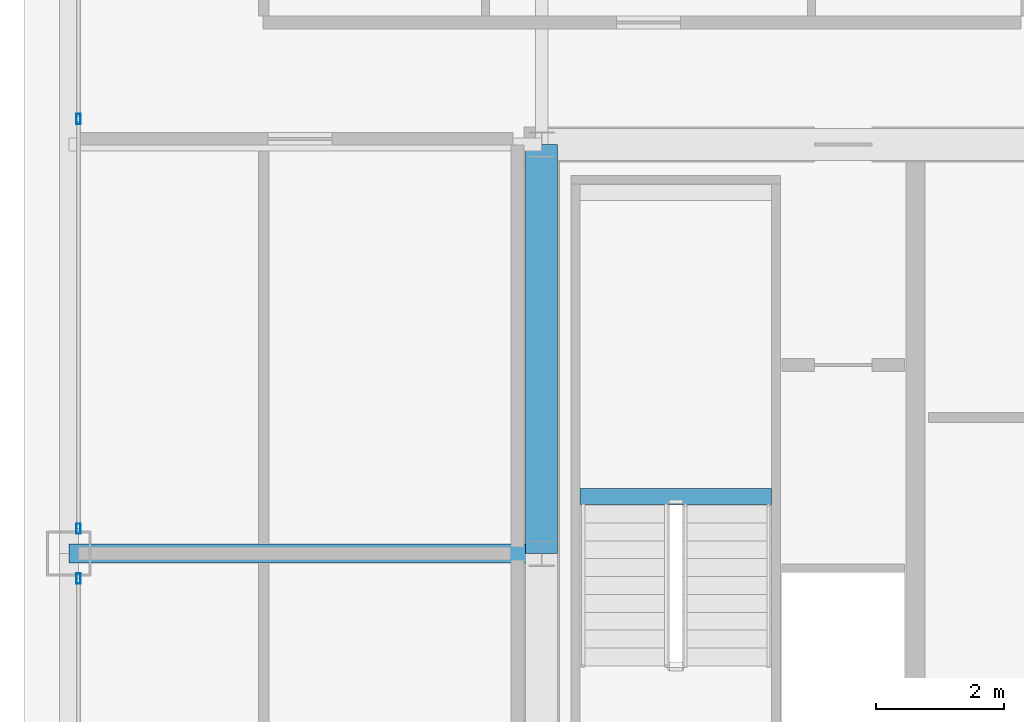
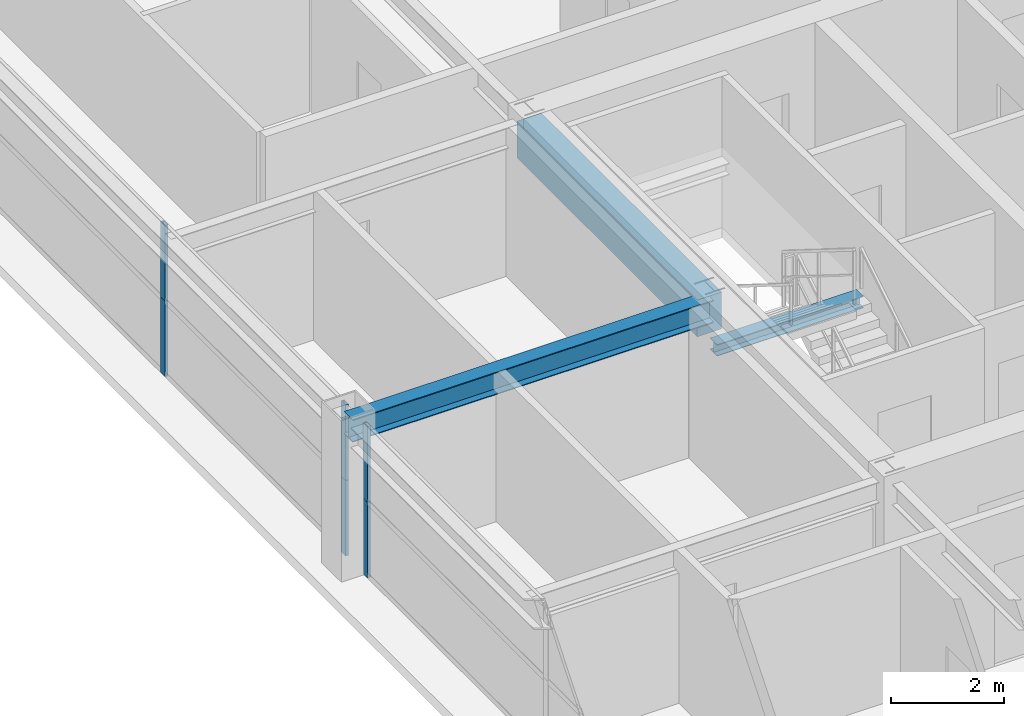
# One storey, part 11 of 34: 6 members, 3 beams, 2 elements without a shape of their own.
"""IFC4 building model written with IfcOpenShell, lengths in metres."""

from ifc_helpers import new_model, si_unit, direction, frame, origin, origin_2d, place, context, subcontext, project, spatial, rectangle, hollow_rectangle, i_section, extrude, source, transform, mapped, material, layer, layer_set, material_profile, profile_set, type_object, element, aggregate, save


model = new_model("IFC4")

# Units and contexts
model_context = context("Model", 3, precision=1e-05, world=origin(), true_north=direction((0.0, 1.0)))
body_context = subcontext(model_context, "Body", "Model", "MODEL_VIEW")
ifc_project = project(units=[si_unit("LENGTHUNIT", "METRE"), si_unit("AREAUNIT", "SQUARE_METRE"), si_unit("VOLUMEUNIT", "CUBIC_METRE"), si_unit("PLANEANGLEUNIT", "RADIAN"), si_unit("MASSUNIT", "GRAM", prefix="KILO"), si_unit("THERMODYNAMICTEMPERATUREUNIT", "KELVIN"), si_unit("POWERUNIT", "WATT")], contexts=[model_context])

# Site, building, storey
site_placement = place(None, origin())
site = spatial("IfcSite", under=ifc_project, at=site_placement, CompositionType="ELEMENT")
building_placement = place(site_placement, origin())
building = spatial("IfcBuilding", under=site, at=building_placement, Name="Yuzanri Waterfront Tower", CompositionType="ELEMENT")
storey_placement = place(building_placement, frame((0.0, 0.0, 241.60009765625)))
storey = spatial("IfcBuildingStorey", under=building, at=storey_placement, Name="L64", CompositionType="ELEMENT", Elevation=241.60009765625)

# Beams
ifc_material_1 = material(Name="Concrete C50", Category="concrete")
ifc_material_profile_1 = material_profile(ifc_material_1, rectangle(XDim=0.5, YDim=0.800048828125, at=origin_2d()), Name="RC 500x800")
ifc_profile_set_1 = profile_set([ifc_material_profile_1], Name="Concrete C50")
beam_type_1 = type_object("IfcBeamType", Name="Core Coupling Lintel Concrete C50 500x800", PredefinedType="LINTEL", material=ifc_profile_set_1)
shared_shape_1 = source(origin(), body_context, "Body", "SweptSolid", [
    extrude(rectangle(XDim=0.5, YDim=0.800048828125, at=origin_2d()), origin(), (0.0, 0.0, 1.0), 6.39990234375),
])
beam_1_placement = place(storey_placement, frame((23.800048828125, 25.800048828125, 2.8798828125), z_axis=(0.0, 1.0, 0.0), x_axis=(-1.0, 0.0, 0.0)))
element("IfcBeam", 1, at=beam_1_placement, inside=storey, type_object=beam_type_1, Name="L64 Core Tie Beam CW2", PredefinedType="LINTEL", context=body_context, shape_type="MappedRepresentation", body=[
    mapped(shared_shape_1, transform((0.0, 0.0, 0.0), scale=1.0)),
])
ifc_material_2 = material(Name="Steel Q355B", Category="steel")
ifc_material_profile_2 = material_profile(ifc_material_2, i_section(OverallWidth=0.300048828125, OverallDepth=0.488037109375, WebThickness=0.010986328125, FlangeThickness=0.01806640625, at=origin_2d()), Name="HM 488x300x11x18")
ifc_profile_set_2 = profile_set([ifc_material_profile_2], Name="Steel Q355B")
beam_type_2 = type_object("IfcBeamType", Name="Primary Floor Girder Q355B HM 488x300", PredefinedType="BEAM", material=ifc_profile_set_2)
shared_shape_2 = source(origin(), body_context, "Body", "SweptSolid", [
    extrude(i_section(OverallWidth=0.300048828125, OverallDepth=0.488037109375, WebThickness=0.010986328125, FlangeThickness=0.01806640625, at=origin_2d()), origin(), (0.0, 0.0, 1.0), 7.400146484375),
])
beam_2_placement = place(storey_placement, frame((23.800048828125, 25.800048828125, 3.035888671875), z_axis=(-1.0, 0.0, 0.0), x_axis=(0.0, -1.0, 0.0)))
element("IfcBeam", 2, at=beam_2_placement, inside=storey, type_object=beam_type_2, Name="L64 West Grid Girder", PredefinedType="BEAM", context=body_context, shape_type="MappedRepresentation", body=[
    mapped(shared_shape_2, transform((0.0, 0.0, 0.0), scale=1.0)),
])

# Curtain wall, members
ifc_material_3 = material(Name="Anodized Architectural Bronze", Category="metal")
ifc_layer = layer(ifc_material_3, 0.159912109375)
ifc_layer_set = layer_set([ifc_layer], Name="Anodized Architectural Bronze")
curtain_wall_type = type_object("IfcCurtainWallType", Name="Anodized Bronze Mid-Rise Residential Acoustic Unitized Curtain Wall 7200", PredefinedType="NOTDEFINED", material=ifc_layer_set)
curtain_wall_1_placement = place(storey_placement, origin())
curtain_wall_1 = element("IfcCurtainWall", 3, at=curtain_wall_1_placement, inside=storey, type_object=curtain_wall_type, Name="L64 Curtain Wall CW-L64-WL", PredefinedType="NOTDEFINED")
ifc_material_4 = material(Name="Anodized Architectural Bronze", Category="metal")
ifc_material_profile_3 = material_profile(ifc_material_4, hollow_rectangle(XDim=0.06494140625, YDim=0.159912109375, WallThickness=0.00341796875, at=origin_2d()), Name="CWM 65x160")
ifc_profile_set_3 = profile_set([ifc_material_profile_3], Name="Anodized Architectural Bronze")
member_type = type_object("IfcMemberType", Name="Anodized Bronze Upper-Zone Curtain-Wall Mullion 65x160", PredefinedType="MULLION", material=ifc_profile_set_3)
shared_shape_3 = source(origin(), body_context, "Body", "SweptSolid", [
    extrude(hollow_rectangle(XDim=0.06494140625, YDim=0.159912109375, WallThickness=0.00341796875, at=origin_2d()), origin(), (0.0, 0.0, 1.0), 1.637939453125),
])
member_1_placement = place(storey_placement, frame((16.550048828125, 25.409912109375, 0.0), z_axis=(0.0, 0.0, 1.0), x_axis=(1.0, 0.0, 0.0)))
member_1 = element("IfcMember", 4, at=member_1_placement, type_object=member_type, Name="CW-L64-WL Lower Mullion 02", PredefinedType="MULLION", context=body_context, shape_type="MappedRepresentation", body=[
    mapped(shared_shape_3, transform((0.0, 0.0, 0.0), scale=1.0)),
])
member_2_placement = place(storey_placement, frame((16.550048828125, 25.409912109375, 1.641845703125), z_axis=(0.0, 0.0, 1.0), x_axis=(1.0, 0.0, 0.0)))
member_2 = element("IfcMember", 5, at=member_2_placement, type_object=member_type, Name="CW-L64-WL Upper Mullion 02", PredefinedType="MULLION", context=body_context, shape_type="MappedRepresentation", body=[
    mapped(shared_shape_3, transform((0.0, 0.0, 0.0), scale=1.0)),
])
aggregate(curtain_wall_1, [member_1, member_2])

curtain_wall_2_placement = place(storey_placement, origin())
curtain_wall_2 = element("IfcCurtainWall", 6, at=curtain_wall_2_placement, inside=storey, type_object=curtain_wall_type, Name="L64 Curtain Wall CW-L64-WR", PredefinedType="NOTDEFINED")
member_3_placement = place(storey_placement, frame((16.550048828125, 26.18994140625, 0.0), z_axis=(0.0, 0.0, 1.0), x_axis=(1.0, 0.0, 0.0)))
member_3 = element("IfcMember", 7, at=member_3_placement, type_object=member_type, Name="CW-L64-WR Lower Mullion 00", PredefinedType="MULLION", context=body_context, shape_type="MappedRepresentation", body=[
    mapped(shared_shape_3, transform((0.0, 0.0, 0.0), scale=1.0)),
])
member_4_placement = place(storey_placement, frame((16.550048828125, 26.18994140625, 1.641845703125), z_axis=(0.0, 0.0, 1.0), x_axis=(1.0, 0.0, 0.0)))
member_4 = element("IfcMember", 8, at=member_4_placement, type_object=member_type, Name="CW-L64-WR Upper Mullion 00", PredefinedType="MULLION", context=body_context, shape_type="MappedRepresentation", body=[
    mapped(shared_shape_3, transform((0.0, 0.0, 0.0), scale=1.0)),
])
member_5_placement = place(storey_placement, frame((16.550048828125, 32.60009765625, 0.0), z_axis=(0.0, 0.0, 1.0), x_axis=(1.0, 0.0, 0.0)))
member_5 = element("IfcMember", 9, at=member_5_placement, type_object=member_type, Name="CW-L64-WR Lower Mullion 01", PredefinedType="MULLION", context=body_context, shape_type="MappedRepresentation", body=[
    mapped(shared_shape_3, transform((0.0, 0.0, 0.0), scale=1.0)),
])
member_6_placement = place(storey_placement, frame((16.550048828125, 32.60009765625, 1.641845703125), z_axis=(0.0, 0.0, 1.0), x_axis=(1.0, 0.0, 0.0)))
member_6 = element("IfcMember", 10, at=member_6_placement, type_object=member_type, Name="CW-L64-WR Upper Mullion 01", PredefinedType="MULLION", context=body_context, shape_type="MappedRepresentation", body=[
    mapped(shared_shape_3, transform((0.0, 0.0, 0.0), scale=1.0)),
])
aggregate(curtain_wall_2, [member_3, member_4, member_5, member_6])

# Beam
ifc_material_5 = material(Name="Steel Q355B", Category="steel")
ifc_material_profile_4 = material_profile(ifc_material_5, i_section(OverallWidth=0.25, OverallDepth=0.25, WebThickness=0.009033203125, FlangeThickness=0.013916015625, at=origin_2d()), Name="HW 250x250x9x14")
ifc_profile_set_4 = profile_set([ifc_material_profile_4], Name="Steel Q355B")
beam_type_3 = type_object("IfcBeamType", Name="Stair Landing Support Beam Q355B HW 250x250", PredefinedType="BEAM", material=ifc_profile_set_4)
shared_shape_4 = source(origin(), body_context, "Body", "SweptSolid", [
    extrude(i_section(OverallWidth=0.25, OverallDepth=0.25, WebThickness=0.009033203125, FlangeThickness=0.013916015625, at=origin_2d()), origin(), (0.0, 0.0, 1.0), 3.0),
])
beam_3_placement = place(storey_placement, frame((24.39990234375, 26.68994140625, 1.4248046875), z_axis=(1.0, 0.0, 0.0), x_axis=(0.0, 1.0, 0.0)))
element("IfcBeam", 11, at=beam_3_placement, inside=storey, type_object=beam_type_3, Name="L64 Stair Landing Support Beam ST-01-L64-L1-1", PredefinedType="BEAM", context=body_context, shape_type="MappedRepresentation", body=[
    mapped(shared_shape_4, transform((0.0, 0.0, 0.0), scale=1.0)),
])

save(model, "model.ifc")
